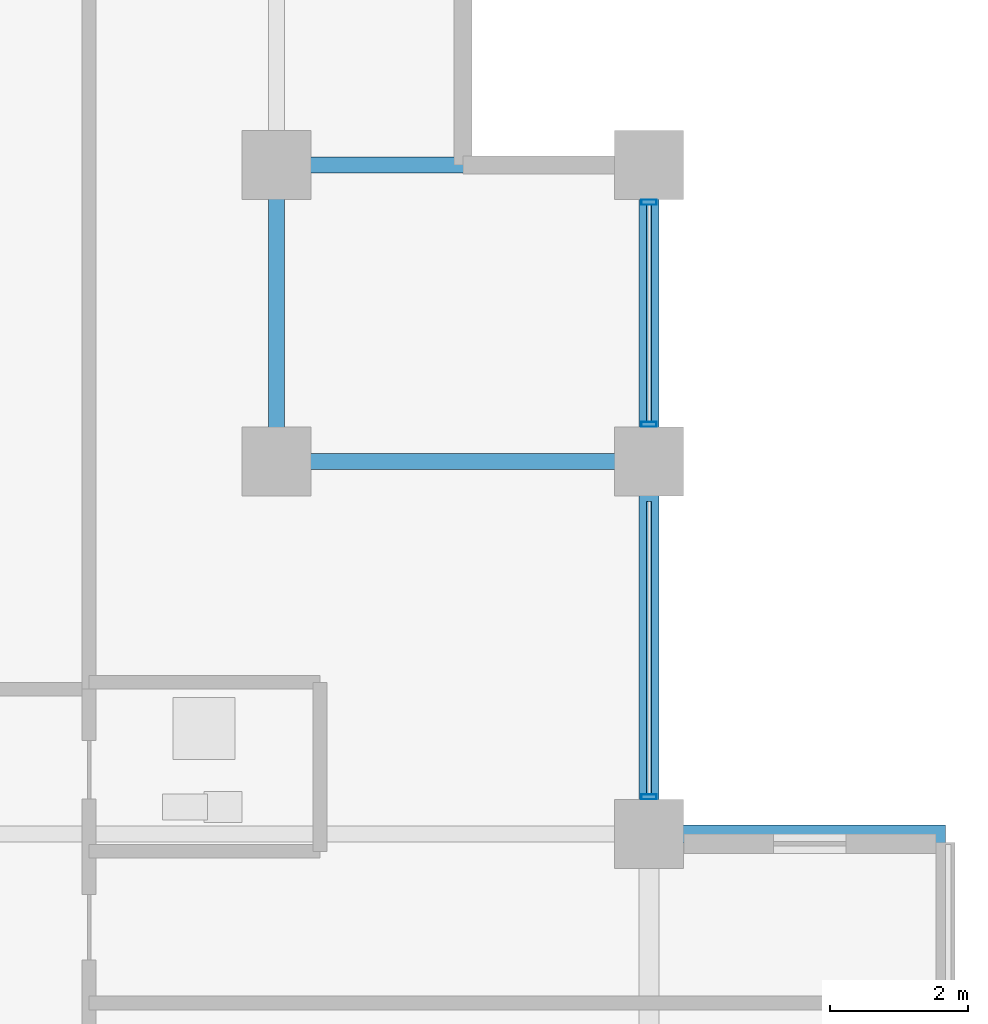
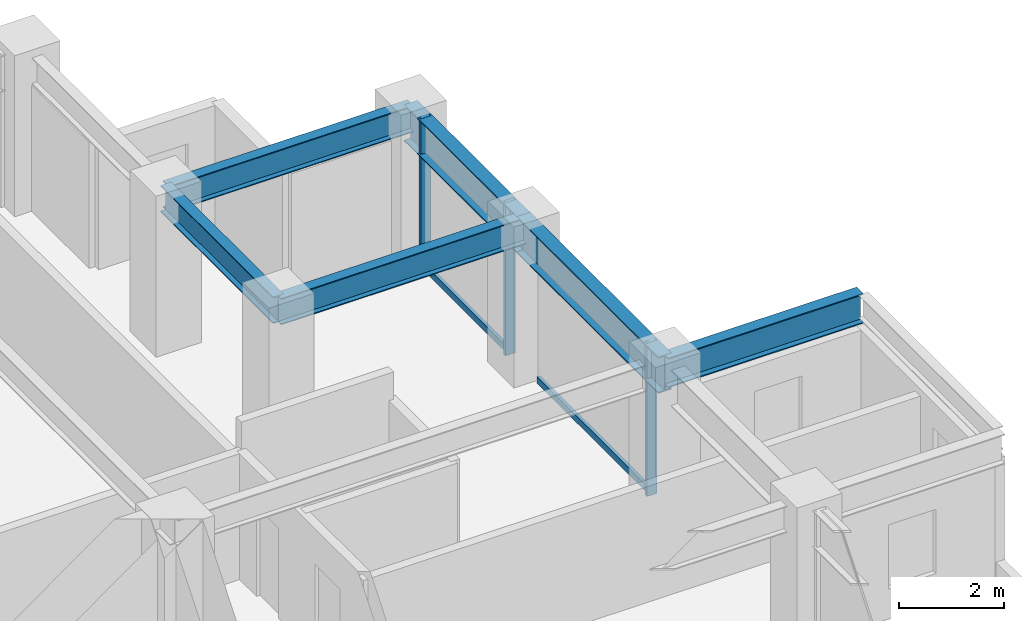
# One storey, part 17 of 29: 6 beams, 5 members, 1 element without a shape of its own.
"""IFC4 building model written with IfcOpenShell, lengths in metres."""

from ifc_helpers import new_model, si_unit, direction, frame, origin, origin_2d, place, context, subcontext, project, spatial, hollow_rectangle, i_section, extrude, material, layer, layer_set, material_profile, profile_set, type_object, element, aggregate, save


model = new_model("IFC4")

# Units and contexts
model_context = context("Model", 3, precision=1e-05, world=origin(), true_north=direction((0.0, 1.0)))
body_context = subcontext(model_context, "Body", "Model", "MODEL_VIEW")
ifc_project = project(units=[si_unit("LENGTHUNIT", "METRE"), si_unit("AREAUNIT", "SQUARE_METRE"), si_unit("VOLUMEUNIT", "CUBIC_METRE"), si_unit("PLANEANGLEUNIT", "RADIAN"), si_unit("MASSUNIT", "GRAM", prefix="KILO")], contexts=[model_context])

# Site, building, storey
site_placement = place(None, origin())
site = spatial("IfcSite", under=ifc_project, at=site_placement, CompositionType="ELEMENT")
building_placement = place(site_placement, origin())
building = spatial("IfcBuilding", under=site, at=building_placement, Name="Surkhivell Harbour Commons", CompositionType="ELEMENT")
storey_placement = place(building_placement, frame((0.0, 0.0, 150.75)))
storey = spatial("IfcBuildingStorey", under=building, at=storey_placement, Name="L39", CompositionType="ELEMENT", Elevation=150.75)

# Beams
ifc_material_1 = material(Name="Steel S460", Category="steel")
ifc_material_profile_1 = material_profile(ifc_material_1, i_section(OverallWidth=0.256103515625, OverallDepth=0.693115234375, WebThickness=0.014404296875, FlangeThickness=0.023681640625, at=origin_2d()), Name="UB686x254x170")
ifc_profile_set_1 = profile_set([ifc_material_profile_1], Name="Steel S460")
beam_type_1 = type_object("IfcBeamType", Name="BM-CNT-686", PredefinedType="BEAM", material=ifc_profile_set_1)
beam_1_placement = place(storey_placement, frame((21.60009765625, 10.800048828125, 3.223388671875), z_axis=(1.0, 0.0, 0.0), x_axis=(0.0, 1.0, 0.0)))
element("IfcBeam", 1, at=beam_1_placement, inside=storey, type_object=beam_type_1, Name="L39 Box Cantilever Outrigger (21.6,10.8)", PredefinedType="BEAM", context=body_context, shape_type="SweptSolid", body=[
    extrude(i_section(OverallWidth=0.256103515625, OverallDepth=0.693115234375, WebThickness=0.014404296875, FlangeThickness=0.023681640625, at=origin_2d()), origin(), (0.0, 0.0, 1.0), 4.2998046875),
])
ifc_material_2 = material(Name="Steel S355", Category="steel")
ifc_material_profile_2 = material_profile(ifc_material_2, i_section(OverallWidth=0.22998046875, OverallDepth=0.616943359375, WebThickness=0.01318359375, FlangeThickness=0.022216796875, at=origin_2d()), Name="UB610x229x140")
ifc_profile_set_2 = profile_set([ifc_material_profile_2], Name="Steel S355")
beam_type_2 = type_object("IfcBeamType", Name="BM-GRD-610B", PredefinedType="BEAM", material=ifc_profile_set_2)
beam_2_placement = place(storey_placement, frame((16.199951171875, 16.199951171875, 3.261474609375), z_axis=(0.0, 1.0, 0.0), x_axis=(-1.0, 0.0, 0.0)))
element("IfcBeam", 2, at=beam_2_placement, inside=storey, type_object=beam_type_2, Name="L39 Floor Girder (16.2,16.2)", PredefinedType="BEAM", context=body_context, shape_type="SweptSolid", body=[
    extrude(i_section(OverallWidth=0.22998046875, OverallDepth=0.616943359375, WebThickness=0.01318359375, FlangeThickness=0.022216796875, at=origin_2d()), origin(), (0.0, 0.0, 1.0), 4.300048828125),
])
for number, where, z_axis, x_axis, name in (
    (3, (16.199951171875, 16.199951171875, 3.261474609375), (1.0, 0.0, 0.0), (0.0, 1.0, 0.0), "L39 Floor Girder (16.2,16.2)"),
    (4, (16.199951171875, 20.5, 3.261474609375), (1.0, 0.0, 0.0), (0.0, 1.0, 0.0), "L39 Floor Girder (16.2,20.5)"),
):
    element("IfcBeam", number, at=place(storey_placement, frame(where, z_axis=z_axis, x_axis=x_axis)), inside=storey, type_object=beam_type_2, Name=name, PredefinedType="BEAM", context=body_context, shape_type="SweptSolid", body=[
        extrude(i_section(OverallWidth=0.22998046875, OverallDepth=0.616943359375, WebThickness=0.01318359375, FlangeThickness=0.022216796875, at=origin_2d()), origin(), (0.0, 0.0, 1.0), 5.400146484375),
    ])
ifc_material_profile_3 = material_profile(ifc_material_1, i_section(OverallWidth=0.2939453125, OverallDepth=0.85107421875, WebThickness=0.01611328125, FlangeThickness=0.02685546875, at=origin_2d()), Name="UB838x292x226")
ifc_profile_set_3 = profile_set([ifc_material_profile_3], Name="Steel S460")
beam_type_3 = type_object("IfcBeamType", Name="BM-SPN-838", PredefinedType="SPANDREL", material=ifc_profile_set_3)
beam_3_placement = place(storey_placement, frame((21.60009765625, 10.800048828125, 3.14453125), z_axis=(0.0, 1.0, 0.0), x_axis=(-1.0, 0.0, 0.0)))
element("IfcBeam", 5, at=beam_3_placement, inside=storey, type_object=beam_type_3, Name="L39 Tube Spandrel (21.6,10.8)", PredefinedType="SPANDREL", context=body_context, shape_type="SweptSolid", body=[
    extrude(i_section(OverallWidth=0.2939453125, OverallDepth=0.85107421875, WebThickness=0.01611328125, FlangeThickness=0.02685546875, at=origin_2d()), origin(), (0.0, 0.0, 1.0), 5.39990234375),
])
beam_4_placement = place(storey_placement, frame((21.60009765625, 16.199951171875, 3.14453125), z_axis=(0.0, 1.0, 0.0), x_axis=(-1.0, 0.0, 0.0)))
element("IfcBeam", 6, at=beam_4_placement, inside=storey, type_object=beam_type_3, Name="L39 Tube Spandrel (21.6,16.2)", PredefinedType="SPANDREL", context=body_context, shape_type="SweptSolid", body=[
    extrude(i_section(OverallWidth=0.2939453125, OverallDepth=0.85107421875, WebThickness=0.01611328125, FlangeThickness=0.02685546875, at=origin_2d()), origin(), (0.0, 0.0, 1.0), 4.300048828125),
])

# Curtain wall, members
ifc_material_3 = material(Name="Anodised pale-metal aluminium and insulated glazing", Category="aluminium")
ifc_layer = layer(ifc_material_3, 0.205078125)
ifc_layer_set = layer_set([ifc_layer], Name="Anodised pale-metal aluminium and insulated glazing")
curtain_wall_type = type_object("IfcCurtainWallType", Name="CW-SYS-Z2", PredefinedType="NOTDEFINED", material=ifc_layer_set)
curtain_wall_placement = place(storey_placement, origin())
curtain_wall = element("IfcCurtainWall", 7, at=curtain_wall_placement, inside=storey, type_object=curtain_wall_type, Name="L39 Curtain Wall CW-L39-E02R2", PredefinedType="NOTDEFINED")
ifc_material_4 = material(Name="Anodised pale-metal aluminium alloy 6063-T6", Category="aluminium")
ifc_material_profile_4 = material_profile(ifc_material_4, hollow_rectangle(XDim=0.074951171875, YDim=0.219970703125, WallThickness=0.00390625, at=origin_2d()), Name="ALU-MULL-75x220")
ifc_profile_set_4 = profile_set([ifc_material_profile_4], Name="Anodised pale-metal aluminium alloy 6063-T6")
member_type_1 = type_object("IfcMemberType", Name="CWM-220", PredefinedType="MULLION", material=ifc_profile_set_4)
member_1_placement = place(storey_placement, frame((21.60009765625, 11.339599609375, 0.0), z_axis=(0.0, 0.0, 1.0), x_axis=(0.0, 1.0, 0.0)))
member_1 = element("IfcMember", 8, at=member_1_placement, type_object=member_type_1, Name="CW-Z2 mullion 1", PredefinedType="MULLION", context=body_context, shape_type="SweptSolid", body=[
    extrude(hollow_rectangle(XDim=0.074951171875, YDim=0.219970703125, WallThickness=0.00390625, at=origin_2d()), origin(), (0.0, 0.0, 1.0), 3.570068359375),
])
member_2_placement = place(storey_placement, frame((21.60009765625, 16.739501953125, 0.0), z_axis=(0.0, 0.0, 1.0), x_axis=(0.0, 1.0, 0.0)))
member_2 = element("IfcMember", 9, at=member_2_placement, type_object=member_type_1, Name="CW-Z2 mullion 2", PredefinedType="MULLION", context=body_context, shape_type="SweptSolid", body=[
    extrude(hollow_rectangle(XDim=0.074951171875, YDim=0.219970703125, WallThickness=0.00390625, at=origin_2d()), origin(), (0.0, 0.0, 1.0), 3.570068359375),
])
member_3_placement = place(storey_placement, frame((21.60009765625, 19.96044921875, 0.0), z_axis=(0.0, 0.0, 1.0), x_axis=(0.0, 1.0, 0.0)))
member_3 = element("IfcMember", 10, at=member_3_placement, type_object=member_type_1, Name="CW-Z2 mullion 3", PredefinedType="MULLION", context=body_context, shape_type="SweptSolid", body=[
    extrude(hollow_rectangle(XDim=0.074951171875, YDim=0.219970703125, WallThickness=0.00390625, at=origin_2d()), origin(), (0.0, 0.0, 1.0), 3.570068359375),
])
ifc_material_profile_5 = material_profile(ifc_material_4, hollow_rectangle(XDim=0.074951171875, YDim=0.14990234375, WallThickness=0.00341796875, at=origin_2d()), Name="ALU-TRAN-75x150")
ifc_profile_set_5 = profile_set([ifc_material_profile_5], Name="Anodised pale-metal aluminium alloy 6063-T6")
member_type_2 = type_object("IfcMemberType", Name="CWT-150", PredefinedType="USERDEFINED", material=ifc_profile_set_5)
member_4_placement = place(storey_placement, frame((21.60009765625, 11.376953125, 0.074951171875), z_axis=(0.0, 1.0, 0.0), x_axis=(-1.0, 0.0, 0.0)))
member_4 = element("IfcMember", 11, at=member_4_placement, type_object=member_type_2, Name="CW-Z2 transom 1.1", ObjectType="TRANSOM", PredefinedType="USERDEFINED", context=body_context, shape_type="SweptSolid", body=[
    extrude(hollow_rectangle(XDim=0.074951171875, YDim=0.14990234375, WallThickness=0.00341796875, at=origin_2d()), origin(), (0.0, 0.0, 1.0), 4.24609375),
])
member_5_placement = place(storey_placement, frame((21.60009765625, 16.777099609375, 0.074951171875), z_axis=(0.0, 1.0, 0.0), x_axis=(-1.0, 0.0, 0.0)))
member_5 = element("IfcMember", 12, at=member_5_placement, type_object=member_type_2, Name="CW-Z2 transom 2.1", ObjectType="TRANSOM", PredefinedType="USERDEFINED", context=body_context, shape_type="SweptSolid", body=[
    extrude(hollow_rectangle(XDim=0.074951171875, YDim=0.14990234375, WallThickness=0.00341796875, at=origin_2d()), origin(), (0.0, 0.0, 1.0), 3.14599609375),
])
aggregate(curtain_wall, [member_1, member_4, member_2, member_3, member_5])

save(model, "model.ifc")
